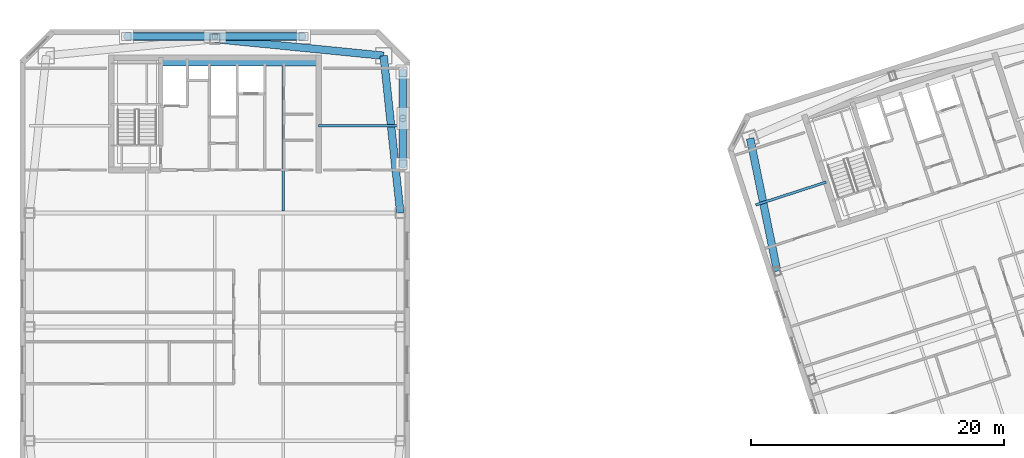
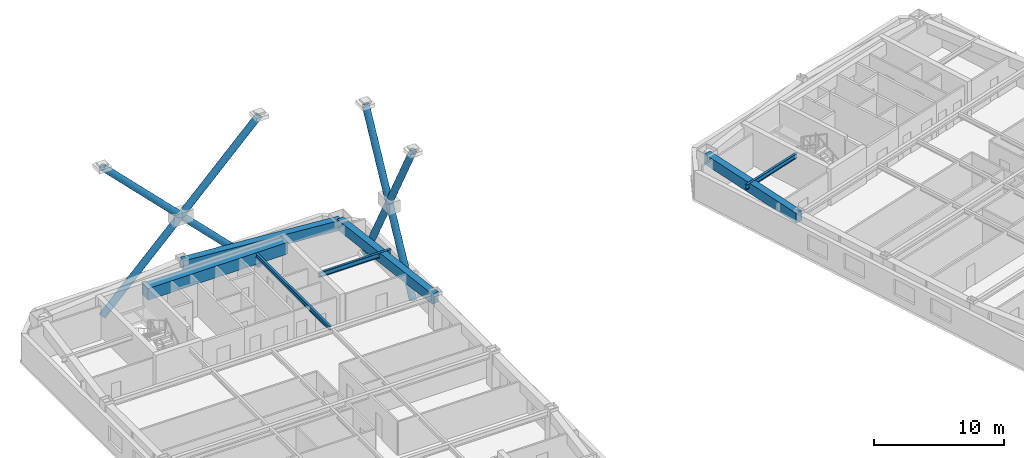
# One storey, part 7 of 20: 8 members, 7 beams.
"""IFC4 building model written with IfcOpenShell, lengths in metres."""

from ifc_helpers import new_model, si_unit, direction, frame, origin, origin_2d, place, context, subcontext, project, spatial, rectangle, hollow_circle, i_section, extrude, material, material_profile, profile_set, type_object, element, save


model = new_model("IFC4")

# Units and contexts
model_context = context("Model", 3, precision=1e-05, world=origin(), true_north=direction((0.0, 1.0)))
body_context = subcontext(model_context, "Body", "Model", "MODEL_VIEW")
ifc_project = project(units=[si_unit("LENGTHUNIT", "METRE"), si_unit("AREAUNIT", "SQUARE_METRE"), si_unit("VOLUMEUNIT", "CUBIC_METRE"), si_unit("PLANEANGLEUNIT", "RADIAN"), si_unit("MASSUNIT", "GRAM", prefix="KILO")], contexts=[model_context])

# Site, building, storey
site_placement = place(None, origin())
site = spatial("IfcSite", under=ifc_project, at=site_placement, CompositionType="ELEMENT")
building_placement = place(site_placement, origin())
building = spatial("IfcBuilding", under=site, at=building_placement, Name="Qiaolan Cultural Towers", CompositionType="ELEMENT")
storey_placement = place(building_placement, frame((0.0, 0.0, 223.10009765625)))
storey = spatial("IfcBuildingStorey", under=building, at=storey_placement, Name="L60", CompositionType="ELEMENT", Elevation=223.10009765625)

# Beams
ifc_material_1 = material(Name="Steel Q355B", Category="steel")
ifc_material_profile_1 = material_profile(ifc_material_1, i_section(OverallWidth=0.199951171875, OverallDepth=0.39990234375, WebThickness=0.008056640625, FlangeThickness=0.012939453125, at=origin_2d()), Name="HN400x200x8x13")
ifc_profile_set_1 = profile_set([ifc_material_profile_1], Name="Steel Q355B")
beam_type_1 = type_object("IfcBeamType", Name="BM-JST-HN400x200x8x13", PredefinedType="JOIST", material=ifc_profile_set_1)
beam_1_placement = place(storey_placement, frame((35.39990234375, 43.14990234375, 2.989990234375), z_axis=(0.0, 1.0, 0.0), x_axis=(-1.0, 0.0, 0.0)))
element("IfcBeam", 1, at=beam_1_placement, inside=storey, type_object=beam_type_1, Name="L60 T1 Secondary Floor Joist U3-4", PredefinedType="JOIST", context=body_context, shape_type="SweptSolid", body=[
    extrude(i_section(OverallWidth=0.199951171875, OverallDepth=0.39990234375, WebThickness=0.008056640625, FlangeThickness=0.012939453125, at=origin_2d()), origin(), (0.0, 0.0, 1.0), 11.4501953125),
])
ifc_material_2 = material(Name="Steel Q355B", Category="steel")
ifc_material_profile_2 = material_profile(ifc_material_2, i_section(OverallWidth=0.199951171875, OverallDepth=0.449951171875, WebThickness=0.009033203125, FlangeThickness=0.013916015625, at=origin_2d()), Name="HN450x200x9x14")
ifc_profile_set_2 = profile_set([ifc_material_profile_2], Name="Steel Q355B")
beam_type_2 = type_object("IfcBeamType", Name="BM-LNT-HN450x200x9x14", PredefinedType="LINTEL", material=ifc_profile_set_2)
beam_2_placement = place(storey_placement, frame((38.199951171875, 49.89990234375, 2.96484375), z_axis=(1.0, 0.0, 0.0), x_axis=(0.0, 1.0, 0.0)))
element("IfcBeam", 2, at=beam_2_placement, inside=storey, type_object=beam_type_2, Name="L60 T1 Core Flank Tie Lintel EN", PredefinedType="LINTEL", context=body_context, shape_type="SweptSolid", body=[
    extrude(i_section(OverallWidth=0.199951171875, OverallDepth=0.449951171875, WebThickness=0.009033203125, FlangeThickness=0.013916015625, at=origin_2d()), origin(), (0.0, 0.0, 1.0), 6.449951171875),
])
beam_3_placement = place(storey_placement, frame((78.291259765625, 45.44189453125, 2.96484375), z_axis=(-0.951051548326, -0.309032283793, 0.0), x_axis=(0.309032283793, -0.951051548326, 0.0)))
element("IfcBeam", 3, at=beam_3_placement, inside=storey, type_object=beam_type_2, Name="L60 T2 Core Flank Tie Lintel WN", PredefinedType="LINTEL", context=body_context, shape_type="SweptSolid", body=[
    extrude(i_section(OverallWidth=0.199951171875, OverallDepth=0.449951171875, WebThickness=0.009033203125, FlangeThickness=0.013916015625, at=origin_2d()), origin(), (0.0, 0.0, 1.0), 5.85009765625),
])
ifc_material_3 = material(Name="Concrete C50", Category="concrete")
ifc_material_profile_3 = material_profile(ifc_material_3, rectangle(XDim=0.89990234375, YDim=1.10009765625, at=origin_2d()), Name="RC900x1100")
ifc_profile_set_3 = profile_set([ifc_material_profile_3], Name="Concrete C50")
beam_type_3 = type_object("IfcBeamType", Name="BM-RC900x1100", PredefinedType="BEAM", material=ifc_profile_set_3)
beam_4_placement = place(storey_placement, frame((25.719970703125, 55.050048828125, 2.639892578125), z_axis=(1.0, 0.0, 0.0), x_axis=(0.0, 1.0, 0.0)))
element("IfcBeam", 4, at=beam_4_placement, inside=storey, type_object=beam_type_3, Name="L60 T1 Core Header Girder N", PredefinedType="BEAM", context=body_context, shape_type="SweptSolid", body=[
    extrude(rectangle(XDim=0.89990234375, YDim=1.10009765625, at=origin_2d()), origin(), (0.0, 0.0, 1.0), 12.47998046875),
])
ifc_material_4 = material(Name="Concrete C50", Category="concrete")
ifc_material_profile_4 = material_profile(ifc_material_4, rectangle(XDim=0.60009765625, YDim=0.949951171875, at=origin_2d()), Name="RC600x950")
ifc_profile_set_4 = profile_set([ifc_material_profile_4], Name="Concrete C50")
beam_type_4 = type_object("IfcBeamType", Name="BM-SPD-RC600x950", PredefinedType="SPANDREL", material=ifc_profile_set_4)
beam_5_placement = place(storey_placement, frame((44.64990234375, 43.0, 2.71484375), z_axis=(-0.105587580773, 0.994410007384, 0.0), x_axis=(-0.994410007384, -0.105587580773, 0.0)))
element("IfcBeam", 5, at=beam_5_placement, inside=storey, type_object=beam_type_4, Name="L60 T1 Perimeter Spandrel Beam 6", PredefinedType="SPANDREL", context=body_context, shape_type="SweptSolid", body=[
    extrude(rectangle(XDim=0.60009765625, YDim=0.949951171875, at=origin_2d()), origin(), (0.0, 0.0, 1.0), 12.499755859375),
])
beam_6_placement = place(storey_placement, frame((43.330078125, 55.429931640625, 2.71484375), z_axis=(-0.995132371263, 0.098547266143, 0.0), x_axis=(-0.098547266143, -0.995132371263, 0.0)))
element("IfcBeam", 6, at=beam_6_placement, inside=storey, type_object=beam_type_4, Name="L60 T1 Perimeter Spandrel Beam 7", PredefinedType="SPANDREL", context=body_context, shape_type="SweptSolid", body=[
    extrude(rectangle(XDim=0.60009765625, YDim=0.949951171875, at=origin_2d()), origin(), (0.0, 0.0, 1.0), 13.395263671875),
])
beam_7_placement = place(storey_placement, frame((72.2900390625, 48.896484375, 2.71484375), z_axis=(0.199578538116, -0.979881833245, 0.0), x_axis=(0.979881833245, 0.199578538116, 0.0)))
element("IfcBeam", 7, at=beam_7_placement, inside=storey, type_object=beam_type_4, Name="L60 T2 Perimeter Spandrel Beam 9", PredefinedType="SPANDREL", context=body_context, shape_type="SweptSolid", body=[
    extrude(rectangle(XDim=0.60009765625, YDim=0.949951171875, at=origin_2d()), origin(), (0.0, 0.0, 1.0), 10.70849609375),
])

# Members
ifc_material_5 = material(Name="Steel Q355B", Category="steel")
ifc_material_profile_5 = material_profile(ifc_material_5, hollow_circle(Radius=0.300048828125, WallThickness=0.030029296875, at=origin_2d()), Name="CHS600x30")
ifc_profile_set_5 = profile_set([ifc_material_profile_5], Name="Steel Q355B")
member_type = type_object("IfcMemberType", Name="MBR-BRC-CHS600x30", PredefinedType="BRACE", material=ifc_profile_set_5)
for number, where, z_axis, x_axis, name in (
    (8, (44.85009765625, 46.800048828125, 0.14990234375), (0.0, 0.463545511451, 0.886073111438), (-1.0, 0.0, 0.0), "T1 EAST Perimeter Frame Diagonal W-Z4-M1-D1A"),
    (9, (44.85009765625, 50.47509765625, 7.1748046875), (0.0, 0.46350868592, 0.886092375589), (-1.0, 0.0, 0.0), "T1 EAST Perimeter Frame Diagonal W-Z4-M1-D1B"),
):
    element("IfcMember", number, at=place(storey_placement, frame(where, z_axis=z_axis, x_axis=x_axis)), inside=storey, type_object=member_type, Name=name, PredefinedType="BRACE", context=body_context, shape_type="SweptSolid", body=[
        extrude(hollow_circle(Radius=0.300048828125, WallThickness=0.030029296875, at=origin_2d()), origin(), (0.0, 0.0, 1.0), 7.92822265625),
    ])
member_1_placement = place(storey_placement, frame((44.85009765625, 54.14990234375, 0.14990234375), z_axis=(0.0, -0.463521333598, 0.886085759563), x_axis=(1.0, 0.0, 0.0)))
element("IfcMember", 10, at=member_1_placement, inside=storey, type_object=member_type, Name="T1 EAST Perimeter Frame Diagonal W-Z4-M1-D2A", PredefinedType="BRACE", context=body_context, shape_type="SweptSolid", body=[
    extrude(hollow_circle(Radius=0.300048828125, WallThickness=0.030029296875, at=origin_2d()), origin(), (0.0, 0.0, 1.0), 7.927978515625),
])
member_2_placement = place(storey_placement, frame((44.85009765625, 50.47509765625, 7.1748046875), z_axis=(0.0, -0.463532863475, 0.88607972806), x_axis=(1.0, 0.0, 0.0)))
element("IfcMember", 11, at=member_2_placement, inside=storey, type_object=member_type, Name="T1 EAST Perimeter Frame Diagonal W-Z4-M1-D2B", PredefinedType="BRACE", context=body_context, shape_type="SweptSolid", body=[
    extrude(hollow_circle(Radius=0.300048828125, WallThickness=0.030029296875, at=origin_2d()), origin(), (0.0, 0.0, 1.0), 7.928466796875),
])
for number, where, z_axis, x_axis, name in (
    (12, (23.0, 56.949951171875, 0.14990234375), (0.705850143481, 0.0, 0.708361189611), (0.0, 1.0, 0.0), "T1 NORTH Perimeter Frame Diagonal W-Z4-M1-D1A"),
    (13, (30.0, 56.949951171875, 7.1748046875), (0.705837834617, 0.0, 0.708373454629), (0.0, 1.0, 0.0), "T1 NORTH Perimeter Frame Diagonal W-Z4-M1-D1B"),
    (14, (37.0, 56.949951171875, 0.14990234375), (-0.705850143481, 0.0, 0.708361189611), (0.0, -1.0, 0.0), "T1 NORTH Perimeter Frame Diagonal W-Z4-M1-D2A"),
    (15, (30.0, 56.949951171875, 7.1748046875), (-0.705837834617, 0.0, 0.708373454629), (0.0, -1.0, 0.0), "T1 NORTH Perimeter Frame Diagonal W-Z4-M1-D2B"),
):
    element("IfcMember", number, at=place(storey_placement, frame(where, z_axis=z_axis, x_axis=x_axis)), inside=storey, type_object=member_type, Name=name, PredefinedType="BRACE", context=body_context, shape_type="SweptSolid", body=[
        extrude(hollow_circle(Radius=0.300048828125, WallThickness=0.030029296875, at=origin_2d()), origin(), (0.0, 0.0, 1.0), 9.917236328125),
    ])

save(model, "model.ifc")
